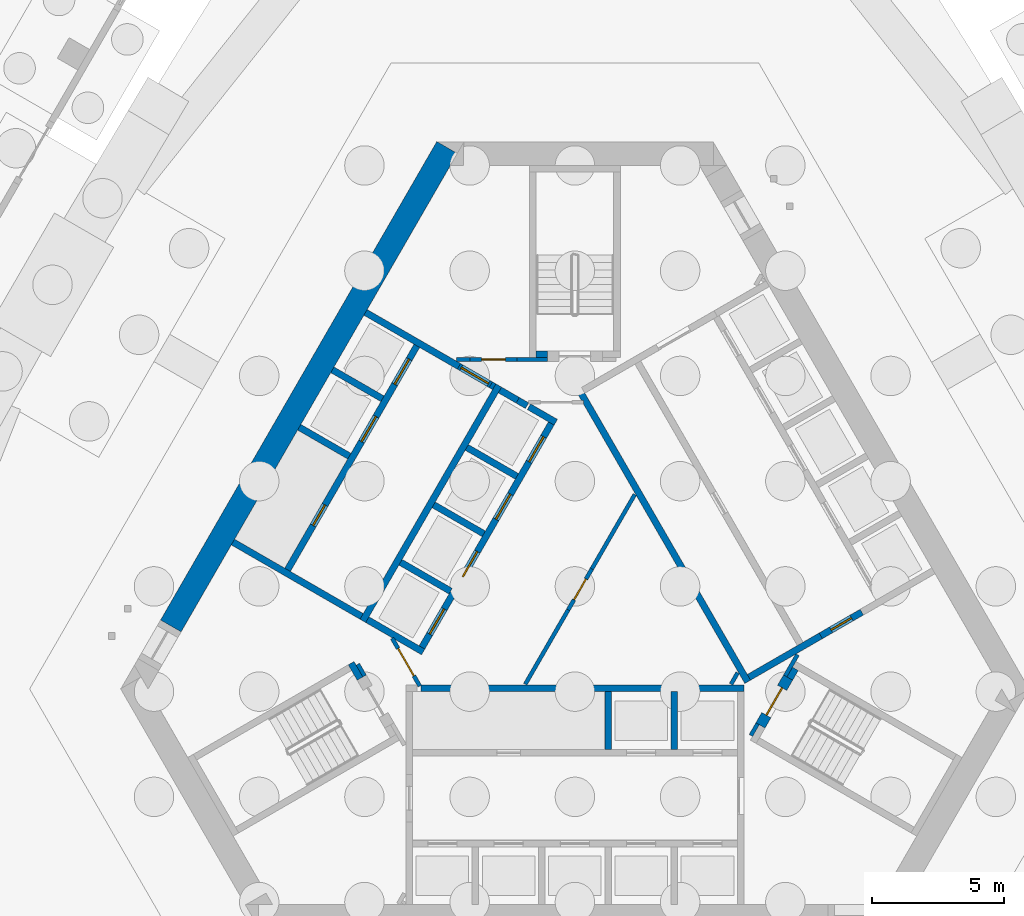
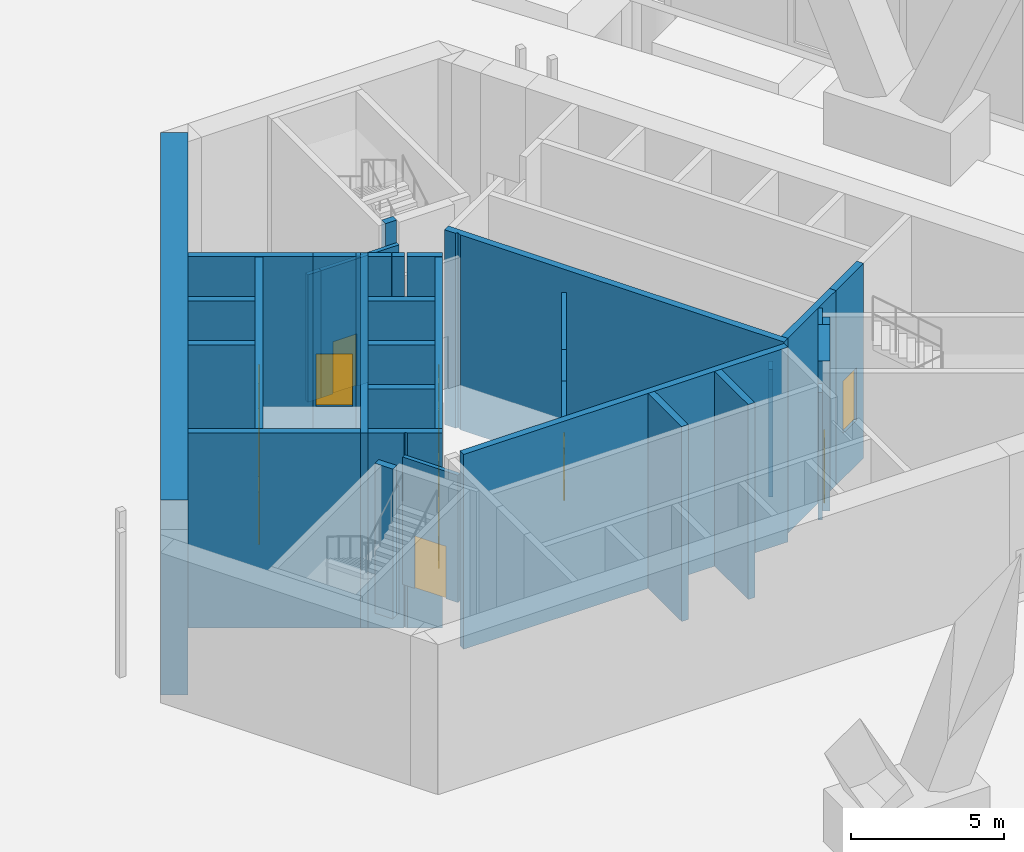
# One storey, part 16 of 38: 38 walls, 13 doors, 13 openings.
"""IFC4 building model written with IfcOpenShell, lengths in metres."""

from ifc_helpers import new_model, si_unit, direction, frame, frame_2d, origin, place, context, subcontext, project, spatial, polyline, rectangle, outline, extrude, material, layer, layer_set, type_object, element, fill, save


model = new_model("IFC4")

# Units and contexts
model_context = context("Model", 3, precision=1e-05, world=origin(), true_north=direction((0.0, 1.0)))
body_context = subcontext(model_context, "Body", "Model", "MODEL_VIEW")
ifc_project = project(units=[si_unit("LENGTHUNIT", "METRE"), si_unit("AREAUNIT", "SQUARE_METRE"), si_unit("VOLUMEUNIT", "CUBIC_METRE"), si_unit("PLANEANGLEUNIT", "RADIAN"), si_unit("MASSUNIT", "GRAM", prefix="KILO")], contexts=[model_context])

# Site, building, storey
site_placement = place(None, origin())
site = spatial("IfcSite", under=ifc_project, at=site_placement, CompositionType="ELEMENT")
building_placement = place(site_placement, origin())
building = spatial("IfcBuilding", under=site, at=building_placement, Name="Mestral Congress Tower", CompositionType="ELEMENT")
storey_placement = place(building_placement, origin())
storey = spatial("IfcBuildingStorey", under=building, at=storey_placement, Name="L00", CompositionType="ELEMENT", Elevation=0.0)

# Walls
ifc_material_1 = material(Name="Fire-rated board partition")
ifc_layer_1 = layer(ifc_material_1, 0.14990234375)
ifc_layer_set_1 = layer_set([ifc_layer_1], Name="Fire-rated board partition")
wall_type_1 = type_object("IfcWallType", Name="Core partition 150", PredefinedType="PARTITIONING", material=ifc_layer_set_1)
wall_1_placement = place(storey_placement, frame((-8.251953125, -2.958251953125, 0.0), z_axis=(0.0, 0.0, 1.0), x_axis=(0.500174715838, -0.865924508047, 0.0)))
element("IfcWall", 1, at=wall_1_placement, inside=storey, type_object=wall_type_1, Name="L00 core wall", PredefinedType="PARTITIONING", context=body_context, shape_type="SweptSolid", body=[
    extrude(rectangle(XDim=0.513916015625, YDim=0.14990234375, at=frame_2d((0.2568359375, 0.0))), origin(), (0.0, 0.0, 1.0), 5.10009765625),
])
wall_2_placement = place(storey_placement, frame((-3.99658203125, 8.625244140625, 0.0), z_axis=(0.0, 0.0, 1.0), x_axis=(-1.0, 0.0, 0.0)))
element("IfcWall", 2, at=wall_2_placement, inside=storey, type_object=wall_type_1, Name="L00 core wall", PredefinedType="PARTITIONING", context=body_context, shape_type="SweptSolid", body=[
    extrude(rectangle(XDim=0.502197265625, YDim=0.14990234375, at=frame_2d((0.2509765625, 0.0))), origin(), (0.0, 0.0, 1.0), 5.10009765625),
])
wall_3_placement = place(storey_placement, frame((-2.1962890625, 8.62548828125, 0.0), z_axis=(0.0, 0.0, 1.0), x_axis=(1.0, 0.0, 0.0)))
element("IfcWall", 3, at=wall_3_placement, inside=storey, type_object=wall_type_1, Name="L00 core wall", PredefinedType="PARTITIONING", context=body_context, shape_type="SweptSolid", body=[
    extrude(rectangle(XDim=1.146240234375, YDim=0.14990234375, at=frame_2d((0.5732421875, 0.0))), origin(), (0.0, 0.0, 1.0), 5.10009765625),
])
wall_4_placement = place(storey_placement, frame((6.94482421875, -5.22216796875, 0.0), z_axis=(0.0, 0.0, 1.0), x_axis=(-0.499818422106, -0.866130212453, 0.0)))
element("IfcWall", 4, at=wall_4_placement, inside=storey, type_object=wall_type_1, Name="L00 core wall", PredefinedType="PARTITIONING", context=body_context, shape_type="SweptSolid", body=[
    extrude(rectangle(XDim=0.513916015625, YDim=0.14990234375, at=frame_2d((0.2568359375, 0.0))), origin(), (0.0, 0.0, 1.0), 5.10009765625),
])
wall_5_placement = place(storey_placement, frame((5.935791015625, -3.718017578125, 0.0), z_axis=(0.0, 0.0, 1.0), x_axis=(0.499890179513, 0.866088799389, 0.0)))
element("IfcWall", 5, at=wall_5_placement, inside=storey, type_object=wall_type_1, Name="L00 core wall", PredefinedType="PARTITIONING", context=body_context, shape_type="SweptSolid", body=[
    extrude(rectangle(XDim=0.50390625, YDim=0.14990234375, at=frame_2d((0.251953125, 0.0))), origin(), (0.0, 0.0, 1.0), 5.10009765625),
])
for number, where, z_axis, x_axis, name in (
    (6, (-1.886962890625, -3.71826171875, 0.0), (0.0, 0.0, 1.0), (0.500033287521, 0.866006184372, 0.0), "L00 core wall"),
    (7, (0.64501953125, 0.6669921875, 0.0), (0.0, 0.0, 1.0), (0.499977178999, 0.866038579095, 0.0), "L00 core wall"),
):
    element("IfcWall", number, at=place(storey_placement, frame(where, z_axis=z_axis, x_axis=x_axis)), inside=storey, type_object=wall_type_1, Name=name, PredefinedType="PARTITIONING", context=body_context, shape_type="SweptSolid", body=[
        extrude(rectangle(XDim=3.263427734375, YDim=0.14990234375, at=frame_2d((1.6318359375, 0.0))), origin(), (0.0, 0.0, 1.0), 5.10009765625),
    ])

# Wall, opening, door
wall_6_placement = place(storey_placement, frame((-2.1962890625, 8.625, 0.0), z_axis=(0.0, 0.0, 1.0), x_axis=(-1.0, 0.0, 0.0)))
wall_6 = element("IfcWall", 8, at=wall_6_placement, inside=storey, type_object=wall_type_1, Name="L00 door wall", PredefinedType="PARTITIONING", context=body_context, shape_type="SweptSolid", body=[
    extrude(rectangle(XDim=1.800048828125, YDim=0.14990234375, at=frame_2d((0.89990234375, 0.0))), origin(), (0.0, 0.0, 1.0), 5.10009765625),
])
opening_1_placement = place(wall_6_placement, frame((0.449951171875, 0.0, 0.0)))
opening_1 = element("IfcOpeningElement", 9, at=opening_1_placement, cuts=wall_6, Name="Opening TD2", PredefinedType="OPENING", context=body_context, shape_type="SweptSolid", body=[
    extrude(rectangle(XDim=0.89990234375, YDim=2.10009765625, at=frame_2d((0.449951171875, 1.050048828125))), frame((0.0, 0.0849609375, 0.0), z_axis=(0.0, -1.0, 0.0), x_axis=(1.0, 0.0, 0.0)), (0.0, 0.0, 1.0), 0.169921875),
])
ifc_material_2 = material(Name="Fire-rated steel door set", Category="steel")
door_type_1 = type_object("IfcDoorType", Name="Core door SR 900x2100", OperationType="SINGLE_SWING_LEFT", PredefinedType="DOOR", material=ifc_material_2)
door_1_placement = place(opening_1_placement, origin())
door_1 = element("IfcDoor", 10, at=door_1_placement, inside=storey, type_object=door_type_1, Name="Door TD2", OperationType="SINGLE_SWING_LEFT", OverallHeight=2.10009765625, OverallWidth=0.89990234375, PredefinedType="DOOR", context=body_context, shape_type="SweptSolid", body=[
    extrude(rectangle(XDim=0.89990234375, YDim=2.10009765625, at=frame_2d((0.449951171875, 1.050048828125))), frame((0.0, 0.02490234375, 0.0), z_axis=(0.0, -1.0, 0.0), x_axis=(1.0, 0.0, 0.0)), (0.0, 0.0, 1.0), 0.050048828125),
])
fill(opening_1, door_1)

wall_7_placement = place(storey_placement, frame((-5.89501953125, -3.789794921875, 0.0), z_axis=(0.0, 0.0, 1.0), x_axis=(-0.49994051562, 0.866059744384, 0.0)))
wall_7 = element("IfcWall", 11, at=wall_7_placement, inside=storey, type_object=wall_type_1, Name="L00 door wall", PredefinedType="PARTITIONING", context=body_context, shape_type="SweptSolid", body=[
    extrude(rectangle(XDim=2.099853515625, YDim=0.14990234375, at=frame_2d((1.0498046875, 0.0))), origin(), (0.0, 0.0, 1.0), 5.10009765625),
])
opening_2_placement = place(wall_7_placement, frame((0.449951171875, 0.0, 0.0)))
opening_2 = element("IfcOpeningElement", 12, at=opening_2_placement, cuts=wall_7, Name="Opening CD3-FF", PredefinedType="OPENING", context=body_context, shape_type="SweptSolid", body=[
    extrude(rectangle(XDim=1.199951171875, YDim=2.10009765625, at=frame_2d((0.60009765625, 1.050048828125))), frame((0.0, 0.0849609375, 0.0), z_axis=(0.0, -1.0, 0.0), x_axis=(1.0, 0.0, 0.0)), (0.0, 0.0, 1.0), 0.169921875),
])
door_type_2 = type_object("IfcDoorType", Name="Core door CD 1200x2100", OperationType="SINGLE_SWING_LEFT", PredefinedType="DOOR", material=ifc_material_2)
door_2_placement = place(opening_2_placement, origin())
door_2 = element("IfcDoor", 13, at=door_2_placement, inside=storey, type_object=door_type_2, Name="Door CD3-FF", OperationType="SINGLE_SWING_LEFT", OverallHeight=2.10009765625, OverallWidth=1.199951171875, PredefinedType="DOOR", context=body_context, shape_type="SweptSolid", body=[
    extrude(rectangle(XDim=1.199951171875, YDim=2.10009765625, at=frame_2d((0.60009765625, 1.050048828125))), frame((0.0, 0.02490234375, 0.0), z_axis=(0.0, -1.0, 0.0), x_axis=(1.0, 0.0, 0.0)), (0.0, 0.0, 1.0), 0.050048828125),
])
fill(opening_2, door_2)

wall_8_placement = place(storey_placement, frame((-0.255126953125, -0.891845703125, 0.0), z_axis=(0.0, 0.0, 1.0), x_axis=(0.500062916607, 0.865989075817, 0.0)))
wall_8 = element("IfcWall", 14, at=wall_8_placement, inside=storey, type_object=wall_type_1, Name="L00 door wall", PredefinedType="PARTITIONING", context=body_context, shape_type="SweptSolid", body=[
    extrude(rectangle(XDim=1.800048828125, YDim=0.14990234375, at=frame_2d((0.89990234375, 0.0))), origin(), (0.0, 0.0, 1.0), 5.10009765625),
])
opening_3_placement = place(wall_8_placement, frame((0.449951171875, 0.0, 0.0)))
opening_3 = element("IfcOpeningElement", 15, at=opening_3_placement, cuts=wall_8, Name="Opening SD-HUB0", PredefinedType="OPENING", context=body_context, shape_type="SweptSolid", body=[
    extrude(rectangle(XDim=0.89990234375, YDim=2.10009765625, at=frame_2d((0.449951171875, 1.050048828125))), frame((0.0, 0.0849609375, 0.0), z_axis=(0.0, -1.0, 0.0), x_axis=(1.0, 0.0, 0.0)), (0.0, 0.0, 1.0), 0.169921875),
])
door_3_placement = place(opening_3_placement, origin())
door_3 = element("IfcDoor", 16, at=door_3_placement, inside=storey, type_object=door_type_1, Name="Door SD-HUB0", OperationType="SINGLE_SWING_LEFT", OverallHeight=2.10009765625, OverallWidth=0.89990234375, PredefinedType="DOOR", context=body_context, shape_type="SweptSolid", body=[
    extrude(rectangle(XDim=0.89990234375, YDim=2.10009765625, at=frame_2d((0.449951171875, 1.050048828125))), frame((0.0, 0.02490234375, 0.0), z_axis=(0.0, -1.0, 0.0), x_axis=(1.0, 0.0, 0.0)), (0.0, 0.0, 1.0), 0.050048828125),
])
fill(opening_3, door_3)

# Walls
ifc_material_3 = material(Name="Concrete C60/75", Category="concrete")
ifc_layer_2 = layer(ifc_material_3, 0.89990234375)
ifc_layer_set_2 = layer_set([ifc_layer_2], Name="Concrete C60/75")
wall_type_2 = type_object("IfcWallType", Name="Core wall RC 900", PredefinedType="SOLIDWALL", material=ifc_layer_set_2)
wall_9_placement = place(storey_placement, frame((-15.359619140625, -1.50341796875, -1.800048828125), z_axis=(0.0, 0.0, 1.0), x_axis=(0.50000389221, 0.866023156604, 0.0)))
element("IfcWall", 17, at=wall_9_placement, inside=storey, type_object=wall_type_2, Name="L00 core wall", PredefinedType="SOLIDWALL", context=body_context, shape_type="SweptSolid", body=[
    extrude(rectangle(XDim=21.000244140625, YDim=0.89990234375, at=frame_2d((10.5, 0.0))), origin(), (0.0, 0.0, 1.0), 7.800048828125),
])
ifc_layer_3 = layer(ifc_material_3, 0.25)
ifc_layer_set_3 = layer_set([ifc_layer_3], Name="Concrete C60/75")
wall_type_3 = type_object("IfcWallType", Name="Shaft wall RC 250", PredefinedType="SOLIDWALL", material=ifc_layer_set_3)
wall_10_placement = place(storey_placement, frame((-5.844970703125, -3.875, -1.800048828125), z_axis=(0.0, 0.0, 1.0), x_axis=(1.0, 0.0, 0.0)))
element("IfcWall", 18, at=wall_10_placement, inside=storey, type_object=wall_type_3, Name="L00 core wall", PredefinedType="SOLIDWALL", context=body_context, shape_type="SweptSolid", body=[
    extrude(rectangle(XDim=12.27001953125, YDim=0.25, at=frame_2d((6.135009765625, 0.0))), origin(), (0.0, 0.0, 1.0), 7.800048828125),
])
for number, where, z_axis, x_axis, name in (
    (19, (3.780029296875, -4.0, -1.800048828125), (0.0, 0.0, 1.0), (0.0, -1.0, 0.0), "L00 core wall"),
    (20, (1.260009765625, -4.0, -1.800048828125), (0.0, 0.0, 1.0), (0.0, -1.0, 0.0), "L00 core wall"),
):
    element("IfcWall", number, at=place(storey_placement, frame(where, z_axis=z_axis, x_axis=x_axis)), inside=storey, type_object=wall_type_3, Name=name, PredefinedType="SOLIDWALL", context=body_context, shape_type="SweptSolid", body=[
        extrude(rectangle(XDim=2.199951171875, YDim=0.25, at=frame_2d((1.10009765625, 0.0))), origin(), (0.0, 0.0, 1.0), 7.800048828125),
    ])
placement = place(storey_placement, frame((0.0, 0.0, -1.800048828125)))
element("IfcWall", 21, at=placement, inside=storey, type_object=wall_type_3, Name="L00 core wall", PredefinedType="SOLIDWALL", context=body_context, shape_type="SweptSolid", body=[
    extrude(outline(polyline([(0.334716796875, 6.925048828125), (0.334716796875, 7.074951171875), (0.334716796875, 7.074951171875), (0.334716796875, 7.0751953125), (0.245361328125, 7.0751953125), (0.079345703125, 7.362548828125), (0.03515625, 7.439208984375), (0.251708984375, 7.564208984375), (0.376708984375, 7.34765625), (6.551513671875, -3.34765625), (6.676513671875, -3.564208984375), (6.460205078125, -3.689208984375), (4.896728515625, -0.981201171875), (0.33203125, 6.9248046875), (0.334716796875, 6.9248046875), (0.334716796875, 6.925048828125), (0.334716796875, 6.925048828125)])), origin(), (0.0, 0.0, 1.0), 7.800048828125),
])
wall_12_placement = place(storey_placement, frame((6.614013671875, -3.4560546875, -1.800048828125), z_axis=(0.0, 0.0, 1.0), x_axis=(0.86602447079, 0.500001615989, 0.0)))
element("IfcWall", 22, at=wall_12_placement, inside=storey, type_object=wall_type_3, Name="L00 core wall", PredefinedType="SOLIDWALL", context=body_context, shape_type="SweptSolid", body=[
    extrude(rectangle(XDim=3.154296875, YDim=0.25, at=frame_2d((1.5771484375, 0.0))), origin(), (0.0, 0.0, 1.0), 7.800048828125),
])
wall_13_placement = place(storey_placement, frame((-8.06005859375, -1.310546875, -1.800048828125), z_axis=(0.0, 0.0, 1.0), x_axis=(0.50000273126, 0.866023826885, 0.0)))
element("IfcWall", 23, at=wall_13_placement, inside=storey, type_object=wall_type_3, Name="L00 core wall", PredefinedType="SOLIDWALL", context=body_context, shape_type="SweptSolid", body=[
    extrude(rectangle(XDim=10.330078125, YDim=0.25, at=frame_2d((5.1650390625, 0.0))), origin(), (0.0, 0.0, 1.0), 7.800048828125),
])
wall_14_placement = place(storey_placement, frame((-1.818603515625, 6.869873046875, -1.800048828125), z_axis=(0.0, 0.0, 1.0), x_axis=(-0.866294599386, 0.499533449405, 0.0)))
element("IfcWall", 24, at=wall_14_placement, inside=storey, type_object=wall_type_3, Name="L00 core wall", PredefinedType="SOLIDWALL", context=body_context, shape_type="SweptSolid", body=[
    extrude(rectangle(XDim=0.41015625, YDim=0.25, at=frame_2d((0.205078125, 0.0))), origin(), (0.0, 0.0, 1.0), 7.800048828125),
])
wall_15_placement = place(storey_placement, frame((-2.849365234375, 7.46484375, -1.800048828125), z_axis=(0.0, 0.0, 1.0), x_axis=(0.865955664968, -0.500120771724, 0.0)))
element("IfcWall", 25, at=wall_15_placement, inside=storey, type_object=wall_type_3, Name="L00 core wall", PredefinedType="SOLIDWALL", context=body_context, shape_type="SweptSolid", body=[
    extrude(rectangle(XDim=0.778076171875, YDim=0.25, at=frame_2d((0.38916015625, 0.0))), origin(), (0.0, 0.0, 1.0), 7.800048828125),
])
wall_16_placement = place(storey_placement, frame((-0.7275390625, 6.23974609375, -1.800048828125), z_axis=(0.0, 0.0, 1.0), x_axis=(-0.866002680491, 0.500039355833, 0.0)))
element("IfcWall", 26, at=wall_16_placement, inside=storey, type_object=wall_type_3, Name="L00 core wall", PredefinedType="SOLIDWALL", context=body_context, shape_type="SweptSolid", body=[
    extrude(rectangle(XDim=1.17822265625, YDim=0.25, at=frame_2d((0.589111328125, 0.0))), origin(), (0.0, 0.0, 1.0), 7.800048828125),
])
for number, where, z_axis, x_axis, name in (
    (27, (-2.2041015625, 4.182373046875, -1.800048828125), (0.0, 0.0, 1.0), (-0.866008176907, 0.50002983664, 0.0), "L00 core wall"),
    (28, (-5.369384765625, 3.10009765625, -1.800048828125), (0.0, 0.0, 1.0), (0.866008176907, -0.50002983664, 0.0), "L00 core wall"),
    (29, (-4.72412109375, -0.182373046875, -1.800048828125), (0.0, 0.0, 1.0), (-0.866008176907, 0.50002983664, 0.0), "L00 core wall"),
):
    element("IfcWall", number, at=place(storey_placement, frame(where, z_axis=z_axis, x_axis=x_axis)), inside=storey, type_object=wall_type_3, Name=name, PredefinedType="SOLIDWALL", context=body_context, shape_type="SweptSolid", body=[
        extrude(rectangle(XDim=2.199951171875, YDim=0.25, at=frame_2d((1.10009765625, 0.0))), origin(), (0.0, 0.0, 1.0), 7.800048828125),
    ])
element("IfcWall", 30, at=placement, inside=storey, type_object=wall_type_3, Name="L00 core wall", PredefinedType="SOLIDWALL", context=body_context, shape_type="SweptSolid", body=[
    extrude(outline(polyline([(-5.921630859375, -2.256591796875), (-5.921630859375, -2.256591796875), (-5.705078125, -2.381591796875), (-5.830078125, -2.597900390625), (-6.829345703125, -2.02099609375), (-6.8798828125, -1.93359375), (-6.8798828125, -1.93359375), (-6.930419921875, -1.962646484375), (-7.951904296875, -1.373046875), (-7.826904296875, -1.156494140625), (-5.921630859375, -2.256591796875)])), origin(), (0.0, 0.0, 1.0), 7.800048828125),
])
wall_18_placement = place(storey_placement, frame((-8.10595703125, -1.139892578125, -1.800048828125), z_axis=(0.0, 0.0, 1.0), x_axis=(-0.866000643155, 0.500042884217, 0.0)))
element("IfcWall", 31, at=wall_18_placement, inside=storey, type_object=wall_type_3, Name="L00 core wall", PredefinedType="SOLIDWALL", context=body_context, shape_type="SweptSolid", body=[
    extrude(rectangle(XDim=5.64990234375, YDim=0.25, at=frame_2d((2.824951171875, 0.0))), origin(), (0.0, 0.0, 1.0), 7.800048828125),
])
element("IfcWall", 32, at=placement, inside=storey, type_object=wall_type_3, Name="L00 core wall", PredefinedType="SOLIDWALL", context=body_context, shape_type="SweptSolid", body=[
    extrude(outline(polyline([(-3.12841796875, 7.4814453125), (-3.2587890625, 7.556640625), (-3.1337890625, 7.773193359375), (-3.00341796875, 7.697998046875), (-3.12841796875, 7.4814453125)])), origin(), (0.0, 0.0, 1.0), 7.800048828125),
])
for number, where, z_axis, x_axis, name in (
    (33, (-8.57373046875, 4.949951171875, -1.800048828125), (0.0, 0.0, 1.0), (-0.866008176907, 0.50002983664, 0.0), "L00 core wall"),
    (34, (-7.313720703125, 7.13232421875, -1.800048828125), (0.0, 0.0, 1.0), (-0.866008176907, 0.50002983664, 0.0), "L00 core wall"),
):
    element("IfcWall", number, at=place(storey_placement, frame(where, z_axis=z_axis, x_axis=x_axis)), inside=storey, type_object=wall_type_3, Name=name, PredefinedType="SOLIDWALL", context=body_context, shape_type="SweptSolid", body=[
        extrude(rectangle(XDim=2.199951171875, YDim=0.25, at=frame_2d((1.10009765625, 0.0))), origin(), (0.0, 0.0, 1.0), 7.800048828125),
    ])
wall_20_placement = place(storey_placement, frame((-7.958984375, 10.414794921875, -1.800048828125), z_axis=(0.0, 0.0, 1.0), x_axis=(0.866020958405, -0.500007699544, 0.0)))
element("IfcWall", 35, at=wall_20_placement, inside=storey, type_object=wall_type_3, Name="L00 core wall", PredefinedType="SOLIDWALL", context=body_context, shape_type="SweptSolid", body=[
    extrude(rectangle(XDim=4.099609375, YDim=0.25, at=frame_2d((2.0498046875, 0.0))), origin(), (0.0, 0.0, 1.0), 7.800048828125),
])

# Wall, openings, doors
wall_21_placement = place(storey_placement, frame((-6.0078125, 9.14404296875, -1.800048828125), z_axis=(0.0, 0.0, 1.0), x_axis=(-0.500006956611, -0.866021387346, 0.0)))
wall_21 = element("IfcWall", 36, at=wall_21_placement, inside=storey, type_object=wall_type_3, Name="L00 door wall", PredefinedType="SOLIDWALL", context=body_context, shape_type="SweptSolid", body=[
    extrude(rectangle(XDim=9.829833984375, YDim=0.25, at=frame_2d((4.9150390625, 0.0))), origin(), (0.0, 0.0, 1.0), 7.800048828125),
])
opening_4_placement = place(wall_21_placement, frame((0.5849609375, 0.0, 1.800048828125)))
opening_4 = element("IfcOpeningElement", 37, at=opening_4_placement, cuts=wall_21, Name="Opening LD-NWA1", PredefinedType="OPENING", context=body_context, shape_type="SweptSolid", body=[
    extrude(rectangle(XDim=1.10009765625, YDim=2.10009765625, at=frame_2d((0.550048828125, 1.050048828125))), frame((0.0, 0.135009765625, 0.0), z_axis=(0.0, -1.0, 0.0), x_axis=(1.0, 0.0, 0.0)), (0.0, 0.0, 1.0), 0.27001953125),
])
opening_5_placement = place(wall_21_placement, frame((3.10498046875, 0.0, 1.800048828125)))
opening_5 = element("IfcOpeningElement", 38, at=opening_5_placement, cuts=wall_21, Name="Opening LD-NWA2", PredefinedType="OPENING", context=body_context, shape_type="SweptSolid", body=[
    extrude(rectangle(XDim=1.10009765625, YDim=2.10009765625, at=frame_2d((0.550048828125, 1.050048828125))), frame((0.0, 0.135009765625, 0.0), z_axis=(0.0, -1.0, 0.0), x_axis=(1.0, 0.0, 0.0)), (0.0, 0.0, 1.0), 0.27001953125),
])
opening_6_placement = place(wall_21_placement, frame((6.985107421875, 0.0, 1.800048828125)))
opening_6 = element("IfcOpeningElement", 39, at=opening_6_placement, cuts=wall_21, Name="Opening SR-NWA2", PredefinedType="OPENING", context=body_context, shape_type="SweptSolid", body=[
    extrude(rectangle(XDim=0.89990234375, YDim=2.10009765625, at=frame_2d((0.449951171875, 1.050048828125))), frame((0.0, 0.135009765625, 0.0), z_axis=(0.0, -1.0, 0.0), x_axis=(1.0, 0.0, 0.0)), (0.0, 0.0, 1.0), 0.27001953125),
])
door_type_3 = type_object("IfcDoorType", Name="Core door LD 1100x2100", OperationType="DOUBLE_DOOR_SLIDING", PredefinedType="DOOR", material=ifc_material_2)
door_4_placement = place(opening_4_placement, origin())
door_4 = element("IfcDoor", 40, at=door_4_placement, inside=storey, type_object=door_type_3, Name="Door LD-NWA1", OperationType="DOUBLE_DOOR_SLIDING", OverallHeight=2.10009765625, OverallWidth=1.10009765625, PredefinedType="DOOR", context=body_context, shape_type="SweptSolid", body=[
    extrude(rectangle(XDim=1.10009765625, YDim=2.10009765625, at=frame_2d((0.550048828125, 1.050048828125))), frame((0.0, 0.02490234375, 0.0), z_axis=(0.0, -1.0, 0.0), x_axis=(1.0, 0.0, 0.0)), (0.0, 0.0, 1.0), 0.050048828125),
])
fill(opening_4, door_4)
door_5_placement = place(opening_5_placement, origin())
door_5 = element("IfcDoor", 41, at=door_5_placement, inside=storey, type_object=door_type_3, Name="Door LD-NWA2", OperationType="DOUBLE_DOOR_SLIDING", OverallHeight=2.10009765625, OverallWidth=1.10009765625, PredefinedType="DOOR", context=body_context, shape_type="SweptSolid", body=[
    extrude(rectangle(XDim=1.10009765625, YDim=2.10009765625, at=frame_2d((0.550048828125, 1.050048828125))), frame((0.0, 0.02490234375, 0.0), z_axis=(0.0, -1.0, 0.0), x_axis=(1.0, 0.0, 0.0)), (0.0, 0.0, 1.0), 0.050048828125),
])
fill(opening_5, door_5)
door_6_placement = place(opening_6_placement, origin())
door_6 = element("IfcDoor", 42, at=door_6_placement, inside=storey, type_object=door_type_1, Name="Door SR-NWA2", OperationType="SINGLE_SWING_LEFT", OverallHeight=2.10009765625, OverallWidth=0.89990234375, PredefinedType="DOOR", context=body_context, shape_type="SweptSolid", body=[
    extrude(rectangle(XDim=0.89990234375, YDim=2.10009765625, at=frame_2d((0.449951171875, 1.050048828125))), frame((0.0, 0.02490234375, 0.0), z_axis=(0.0, -1.0, 0.0), x_axis=(1.0, 0.0, 0.0)), (0.0, 0.0, 1.0), 0.050048828125),
])
fill(opening_6, door_6)

wall_22_placement = place(storey_placement, frame((-0.898193359375, 6.194091796875, -1.800048828125), z_axis=(0.0, 0.0, 1.0), x_axis=(-0.499996202215, -0.866027596426, 0.0)))
wall_22 = element("IfcWall", 43, at=wall_22_placement, inside=storey, type_object=wall_type_3, Name="L00 door wall", PredefinedType="SOLIDWALL", context=body_context, shape_type="SweptSolid", body=[
    extrude(rectangle(XDim=9.830078125, YDim=0.25, at=frame_2d((4.9150390625, 0.0))), origin(), (0.0, 0.0, 1.0), 7.800048828125),
])
opening_7_placement = place(wall_22_placement, frame((0.5849609375, 0.0, 1.800048828125)))
opening_7 = element("IfcOpeningElement", 44, at=opening_7_placement, cuts=wall_22, Name="Opening LD-NWB1", PredefinedType="OPENING", context=body_context, shape_type="SweptSolid", body=[
    extrude(rectangle(XDim=1.10009765625, YDim=2.10009765625, at=frame_2d((0.550048828125, 1.050048828125))), frame((0.0, 0.135009765625, 0.0), z_axis=(0.0, -1.0, 0.0), x_axis=(1.0, 0.0, 0.0)), (0.0, 0.0, 1.0), 0.27001953125),
])
opening_8_placement = place(wall_22_placement, frame((3.10498046875, 0.0, 1.800048828125)))
opening_8 = element("IfcOpeningElement", 45, at=opening_8_placement, cuts=wall_22, Name="Opening LD-NWB2", PredefinedType="OPENING", context=body_context, shape_type="SweptSolid", body=[
    extrude(rectangle(XDim=1.10009765625, YDim=2.10009765625, at=frame_2d((0.550048828125, 1.050048828125))), frame((0.0, 0.135009765625, 0.0), z_axis=(0.0, -1.0, 0.0), x_axis=(1.0, 0.0, 0.0)), (0.0, 0.0, 1.0), 0.27001953125),
])
opening_9_placement = place(wall_22_placement, frame((5.625, 0.0, 1.800048828125)))
opening_9 = element("IfcOpeningElement", 46, at=opening_9_placement, cuts=wall_22, Name="Opening LD-NWB3", PredefinedType="OPENING", context=body_context, shape_type="SweptSolid", body=[
    extrude(rectangle(XDim=1.10009765625, YDim=2.10009765625, at=frame_2d((0.550048828125, 1.050048828125))), frame((0.0, 0.135009765625, 0.0), z_axis=(0.0, -1.0, 0.0), x_axis=(1.0, 0.0, 0.0)), (0.0, 0.0, 1.0), 0.27001953125),
])
opening_10_placement = place(wall_22_placement, frame((8.14501953125, 0.0, 1.800048828125)))
opening_10 = element("IfcOpeningElement", 47, at=opening_10_placement, cuts=wall_22, Name="Opening LD-NWB4", PredefinedType="OPENING", context=body_context, shape_type="SweptSolid", body=[
    extrude(rectangle(XDim=1.10009765625, YDim=2.10009765625, at=frame_2d((0.550048828125, 1.050048828125))), frame((0.0, 0.135009765625, 0.0), z_axis=(0.0, -1.0, 0.0), x_axis=(1.0, 0.0, 0.0)), (0.0, 0.0, 1.0), 0.27001953125),
])
door_7_placement = place(opening_7_placement, origin())
door_7 = element("IfcDoor", 48, at=door_7_placement, inside=storey, type_object=door_type_3, Name="Door LD-NWB1", OperationType="DOUBLE_DOOR_SLIDING", OverallHeight=2.10009765625, OverallWidth=1.10009765625, PredefinedType="DOOR", context=body_context, shape_type="SweptSolid", body=[
    extrude(rectangle(XDim=1.10009765625, YDim=2.10009765625, at=frame_2d((0.550048828125, 1.050048828125))), frame((0.0, 0.02490234375, 0.0), z_axis=(0.0, -1.0, 0.0), x_axis=(1.0, 0.0, 0.0)), (0.0, 0.0, 1.0), 0.050048828125),
])
fill(opening_7, door_7)
door_8_placement = place(opening_8_placement, origin())
door_8 = element("IfcDoor", 49, at=door_8_placement, inside=storey, type_object=door_type_3, Name="Door LD-NWB2", OperationType="DOUBLE_DOOR_SLIDING", OverallHeight=2.10009765625, OverallWidth=1.10009765625, PredefinedType="DOOR", context=body_context, shape_type="SweptSolid", body=[
    extrude(rectangle(XDim=1.10009765625, YDim=2.10009765625, at=frame_2d((0.550048828125, 1.050048828125))), frame((0.0, 0.02490234375, 0.0), z_axis=(0.0, -1.0, 0.0), x_axis=(1.0, 0.0, 0.0)), (0.0, 0.0, 1.0), 0.050048828125),
])
fill(opening_8, door_8)
door_9_placement = place(opening_9_placement, origin())
door_9 = element("IfcDoor", 50, at=door_9_placement, inside=storey, type_object=door_type_3, Name="Door LD-NWB3", OperationType="DOUBLE_DOOR_SLIDING", OverallHeight=2.10009765625, OverallWidth=1.10009765625, PredefinedType="DOOR", context=body_context, shape_type="SweptSolid", body=[
    extrude(rectangle(XDim=1.10009765625, YDim=2.10009765625, at=frame_2d((0.550048828125, 1.050048828125))), frame((0.0, 0.02490234375, 0.0), z_axis=(0.0, -1.0, 0.0), x_axis=(1.0, 0.0, 0.0)), (0.0, 0.0, 1.0), 0.050048828125),
])
fill(opening_9, door_9)
door_10_placement = place(opening_10_placement, origin())
door_10 = element("IfcDoor", 51, at=door_10_placement, inside=storey, type_object=door_type_3, Name="Door LD-NWB4", OperationType="DOUBLE_DOOR_SLIDING", OverallHeight=2.10009765625, OverallWidth=1.10009765625, PredefinedType="DOOR", context=body_context, shape_type="SweptSolid", body=[
    extrude(rectangle(XDim=1.10009765625, YDim=2.10009765625, at=frame_2d((0.550048828125, 1.050048828125))), frame((0.0, 0.02490234375, 0.0), z_axis=(0.0, -1.0, 0.0), x_axis=(1.0, 0.0, 0.0)), (0.0, 0.0, 1.0), 0.050048828125),
])
fill(opening_10, door_10)

# Wall, opening, door
wall_23_placement = place(storey_placement, frame((9.345947265625, -1.878662109375, -1.800048828125), z_axis=(0.0, 0.0, 1.0), x_axis=(0.866047807691, 0.499961193289, 0.0)))
wall_23 = element("IfcWall", 52, at=wall_23_placement, inside=storey, type_object=wall_type_3, Name="L00 door wall", PredefinedType="SOLIDWALL", context=body_context, shape_type="SweptSolid", body=[
    extrude(rectangle(XDim=1.800048828125, YDim=0.25, at=frame_2d((0.89990234375, 0.0))), origin(), (0.0, 0.0, 1.0), 7.800048828125),
])
opening_11_placement = place(wall_23_placement, frame((0.449951171875, 0.0, 1.800048828125)))
opening_11 = element("IfcOpeningElement", 53, at=opening_11_placement, cuts=wall_23, Name="Opening TD1", PredefinedType="OPENING", context=body_context, shape_type="SweptSolid", body=[
    extrude(rectangle(XDim=0.89990234375, YDim=2.10009765625, at=frame_2d((0.449951171875, 1.050048828125))), frame((0.0, 0.135009765625, 0.0), z_axis=(0.0, -1.0, 0.0), x_axis=(1.0, 0.0, 0.0)), (0.0, 0.0, 1.0), 0.27001953125),
])
door_11_placement = place(opening_11_placement, origin())
door_11 = element("IfcDoor", 54, at=door_11_placement, inside=storey, type_object=door_type_1, Name="Door TD1", OperationType="SINGLE_SWING_LEFT", OverallHeight=2.10009765625, OverallWidth=0.89990234375, PredefinedType="DOOR", context=body_context, shape_type="SweptSolid", body=[
    extrude(rectangle(XDim=0.89990234375, YDim=2.10009765625, at=frame_2d((0.449951171875, 1.050048828125))), frame((0.0, 0.02490234375, 0.0), z_axis=(0.0, -1.0, 0.0), x_axis=(1.0, 0.0, 0.0)), (0.0, 0.0, 1.0), 0.050048828125),
])
fill(opening_11, door_11)

wall_24_placement = place(storey_placement, frame((-4.40869140625, 8.364990234375, -1.800048828125), z_axis=(0.0, 0.0, 1.0), x_axis=(0.866034573852, -0.49998411664, 0.0)))
wall_24 = element("IfcWall", 55, at=wall_24_placement, inside=storey, type_object=wall_type_3, Name="L00 door wall", PredefinedType="SOLIDWALL", context=body_context, shape_type="SweptSolid", body=[
    extrude(rectangle(XDim=1.39990234375, YDim=0.25, at=frame_2d((0.699951171875, 0.0))), origin(), (0.0, 0.0, 1.0), 7.800048828125),
])
opening_12_placement = place(wall_24_placement, frame((0.10009765625, 0.0, 1.800048828125)))
opening_12 = element("IfcOpeningElement", 56, at=opening_12_placement, cuts=wall_24, Name="Opening LB2-WL2", PredefinedType="OPENING", context=body_context, shape_type="SweptSolid", body=[
    extrude(rectangle(XDim=1.199951171875, YDim=2.10009765625, at=frame_2d((0.60009765625, 1.050048828125))), frame((0.0, 0.135009765625, 0.0), z_axis=(0.0, -1.0, 0.0), x_axis=(1.0, 0.0, 0.0)), (0.0, 0.0, 1.0), 0.27001953125),
])
door_type_4 = type_object("IfcDoorType", Name="Core door LB 1200x2100", OperationType="SINGLE_SWING_LEFT", PredefinedType="DOOR", material=ifc_material_2)
door_12_placement = place(opening_12_placement, origin())
door_12 = element("IfcDoor", 57, at=door_12_placement, inside=storey, type_object=door_type_4, Name="Door LB2-WL2", OperationType="SINGLE_SWING_LEFT", OverallHeight=2.10009765625, OverallWidth=1.199951171875, PredefinedType="DOOR", context=body_context, shape_type="SweptSolid", body=[
    extrude(rectangle(XDim=1.199951171875, YDim=2.10009765625, at=frame_2d((0.60009765625, 1.050048828125))), frame((0.0, 0.02490234375, 0.0), z_axis=(0.0, -1.0, 0.0), x_axis=(1.0, 0.0, 0.0)), (0.0, 0.0, 1.0), 0.050048828125),
])
fill(opening_12, door_12)

# Walls
ifc_layer_4 = layer(ifc_material_3, 0.14990234375)
ifc_layer_set_4 = layer_set([ifc_layer_4], Name="Concrete C60/75")
wall_type_4 = type_object("IfcWallType", Name="Shaft wall RC 250 door-wall 150", PredefinedType="SOLIDWALL", material=ifc_layer_set_4)
wall_25_placement = place(storey_placement, frame((8.459228515625, -2.59912109375, -1.800048828125), z_axis=(0.0, 0.0, 1.0), x_axis=(-0.500041054325, -0.866001699761, 0.0)))
element("IfcWall", 58, at=wall_25_placement, inside=storey, type_object=wall_type_4, Name="L00 core wall", PredefinedType="PARTITIONING", context=body_context, shape_type="SweptSolid", body=[
    extrude(rectangle(XDim=0.9287109375, YDim=0.14990234375, at=frame_2d((0.46435546875, 0.0))), origin(), (0.0, 0.0, 1.0), 7.800048828125),
])
ifc_layer_5 = layer(ifc_material_3, 0.25)
ifc_layer_set_5 = layer_set([ifc_layer_5], Name="Concrete C60/75")
wall_type_5 = type_object("IfcWallType", Name="Stair wall RC 250", PredefinedType="SOLIDWALL", material=ifc_layer_set_5)
for number, where, z_axis, x_axis, name in (
    (59, (8.167724609375, -3.503173828125, 0.0), (0.0, 0.0, 1.0), (0.49972245349, 0.866185586049, 0.0), "L00 core wall"),
    (60, (-1.47509765625, 8.824951171875, 0.0), (0.0, 0.0, 1.0), (1.0, 0.0, 0.0), "L00 core wall"),
):
    element("IfcWall", number, at=place(storey_placement, frame(where, z_axis=z_axis, x_axis=x_axis)), inside=storey, type_object=wall_type_5, Name=name, PredefinedType="SOLIDWALL", context=body_context, shape_type="SweptSolid", body=[
        extrude(rectangle(XDim=0.425048828125, YDim=0.25, at=frame_2d((0.21240234375, 0.0))), origin(), (0.0, 0.0, 1.0), 6.0),
    ])
wall_26_placement = place(storey_placement, frame((-8.167724609375, -3.503173828125, 0.0), z_axis=(0.0, 0.0, 1.0), x_axis=(-0.499952099219, 0.866053057547, 0.0)))
element("IfcWall", 61, at=wall_26_placement, inside=storey, type_object=wall_type_5, Name="L00 core wall", PredefinedType="SOLIDWALL", context=body_context, shape_type="SweptSolid", body=[
    extrude(rectangle(XDim=0.6748046875, YDim=0.25, at=frame_2d((0.33740234375, 0.0))), origin(), (0.0, 0.0, 1.0), 6.0),
])

# Wall, opening, door
ifc_layer_6 = layer(ifc_material_3, 0.39990234375)
ifc_layer_set_6 = layer_set([ifc_layer_6], Name="Concrete C60/75")
wall_type_6 = type_object("IfcWallType", Name="Stair wall RC 250 door-wall 400", PredefinedType="SOLIDWALL", material=ifc_layer_set_6)
wall_27_placement = place(storey_placement, frame((7.052734375, -5.2841796875, 0.0), z_axis=(0.0, 0.0, 1.0), x_axis=(0.500078061341, 0.865980330357, 0.0)))
wall_27 = element("IfcWall", 62, at=wall_27_placement, inside=storey, type_object=wall_type_6, Name="L00 door wall", PredefinedType="SOLIDWALL", context=body_context, shape_type="SweptSolid", body=[
    extrude(rectangle(XDim=2.099853515625, YDim=0.39990234375, at=frame_2d((1.0498046875, 0.0))), origin(), (0.0, 0.0, 1.0), 6.0),
])
opening_13_placement = place(wall_27_placement, frame((0.449951171875, 0.0, 0.0)))
opening_13 = element("IfcOpeningElement", 63, at=opening_13_placement, cuts=wall_27, Name="Opening ST-D1", PredefinedType="OPENING", context=body_context, shape_type="SweptSolid", body=[
    extrude(rectangle(XDim=1.199951171875, YDim=2.10009765625, at=frame_2d((0.60009765625, 1.050048828125))), frame((0.0, 0.2099609375, 0.0), z_axis=(0.0, -1.0, 0.0), x_axis=(1.0, 0.0, 0.0)), (0.0, 0.0, 1.0), 0.419921875),
])
door_type_5 = type_object("IfcDoorType", Name="Core door ST 1200x2100", OperationType="SINGLE_SWING_LEFT", PredefinedType="DOOR", material=ifc_material_2)
door_13_placement = place(opening_13_placement, origin())
door_13 = element("IfcDoor", 64, at=door_13_placement, inside=storey, type_object=door_type_5, Name="Door ST-D1", OperationType="SINGLE_SWING_LEFT", OverallHeight=2.10009765625, OverallWidth=1.199951171875, PredefinedType="DOOR", context=body_context, shape_type="SweptSolid", body=[
    extrude(rectangle(XDim=1.199951171875, YDim=2.10009765625, at=frame_2d((0.60009765625, 1.050048828125))), frame((0.0, 0.02490234375, 0.0), z_axis=(0.0, -1.0, 0.0), x_axis=(1.0, 0.0, 0.0)), (0.0, 0.0, 1.0), 0.050048828125),
])
fill(opening_13, door_13)

save(model, "model.ifc")
